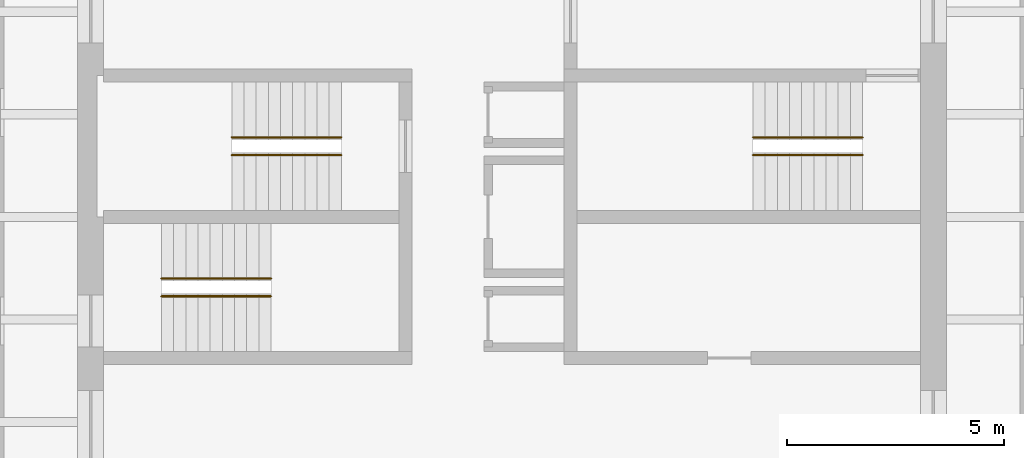
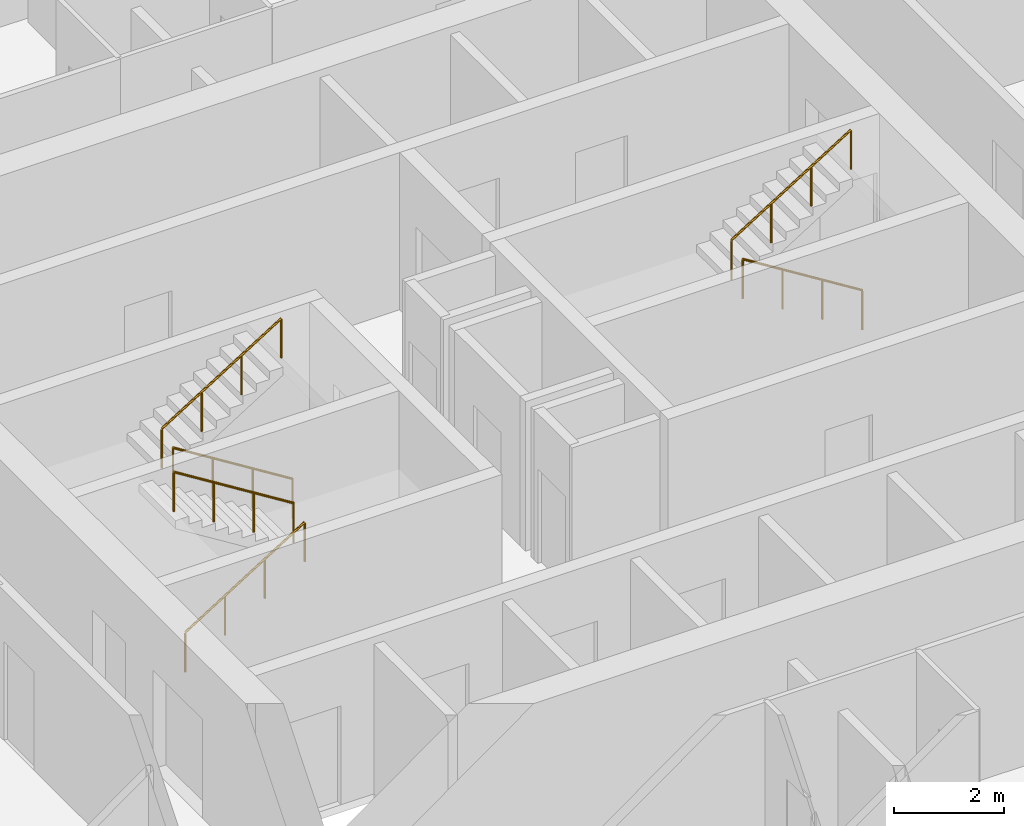
# One storey, part 16 of 16: 6 railings.
"""IFC4 building model written with IfcOpenShell, lengths in metres."""

from ifc_helpers import new_model, si_unit, direction, frame, origin, origin_2d, place, context, subcontext, project, spatial, circle, extrude, material, type_object, element, save


model = new_model("IFC4")

# Units and contexts
model_context = context("Model", 3, precision=1e-05, world=origin(), true_north=direction((0.0, 1.0)))
body_context = subcontext(model_context, "Body", "Model", "MODEL_VIEW")
ifc_project = project(units=[si_unit("LENGTHUNIT", "METRE"), si_unit("AREAUNIT", "SQUARE_METRE"), si_unit("VOLUMEUNIT", "CUBIC_METRE"), si_unit("PLANEANGLEUNIT", "RADIAN"), si_unit("MASSUNIT", "GRAM", prefix="KILO")], contexts=[model_context])

# Site, building, storey
site_placement = place(None, origin())
site = spatial("IfcSite", under=ifc_project, at=site_placement, CompositionType="ELEMENT")
building_placement = place(site_placement, origin())
building = spatial("IfcBuilding", under=site, at=building_placement, Name="Turquesa Mirador Hotel Tower", CompositionType="ELEMENT")
storey_placement = place(building_placement, frame((0.0, 0.0, 230.199951171875)))
storey = spatial("IfcBuildingStorey", under=building, at=storey_placement, Name="L62", CompositionType="ELEMENT", Elevation=230.199951171875)

# Railings
ifc_material = material(Name="Painted steel handrail", Category="steel")
railing_type = type_object("IfcRailingType", Name="HANDRAIL 900 STEEL", PredefinedType="HANDRAIL", material=ifc_material)
railing_1_placement = place(storey_placement, frame((51.070068359375, 46.419921875, 0.175048828125)))
element("IfcRailing", 1, at=railing_1_placement, inside=storey, type_object=railing_type, Name="Handrail ST1", PredefinedType="HANDRAIL", context=body_context, shape_type="SweptSolid", body=[
    extrude(circle(Radius=0.02392578125, at=origin_2d()), frame((0.0, 0.0, 0.8759765625), z_axis=(-0.848007534815, 0.0, 0.529984170421), x_axis=(0.0, -1.0, 0.0)), (0.0, 0.0, 1.0), 2.9716796875),
    extrude(circle(Radius=0.02099609375, at=origin_2d()), origin(), (0.0, 0.0, 1.0), 0.851806640625),
    extrude(circle(Radius=0.02099609375, at=origin_2d()), frame((-0.840087890625, 0.0, 0.52490234375)), (0.0, 0.0, 1.0), 0.851806640625),
    extrude(circle(Radius=0.02099609375, at=origin_2d()), frame((-1.679931640625, 0.0, 1.050048828125)), (0.0, 0.0, 1.0), 0.851806640625),
    extrude(circle(Radius=0.02099609375, at=origin_2d()), frame((-2.52001953125, 0.0, 1.574951171875)), (0.0, 0.0, 1.0), 0.851806640625),
])
for number, where, name in (
    (2, (48.550048828125, 46.830078125, 1.925048828125), "Handrail ST1"),
    (3, (46.929931640625, 43.169921875, 0.175048828125), "Handrail ST2"),
):
    element("IfcRailing", number, at=place(storey_placement, frame(where)), inside=storey, type_object=railing_type, Name=name, PredefinedType="HANDRAIL", context=body_context, shape_type="SweptSolid", body=[
        extrude(circle(Radius=0.02392578125, at=origin_2d()), frame((0.0, 0.0, 0.8759765625), z_axis=(0.848007534815, 0.0, 0.529984170421), x_axis=(0.0, 1.0, 0.0)), (0.0, 0.0, 1.0), 2.9716796875),
        extrude(circle(Radius=0.02099609375, at=origin_2d()), origin(), (0.0, 0.0, 1.0), 0.851806640625),
        extrude(circle(Radius=0.02099609375, at=origin_2d()), frame((0.840087890625, 0.0, 0.52490234375)), (0.0, 0.0, 1.0), 0.851806640625),
        extrude(circle(Radius=0.02099609375, at=origin_2d()), frame((1.679931640625, 0.0, 1.050048828125)), (0.0, 0.0, 1.0), 0.851806640625),
        extrude(circle(Radius=0.02099609375, at=origin_2d()), frame((2.52001953125, 0.0, 1.574951171875)), (0.0, 0.0, 1.0), 0.851806640625),
    ])
for number, where, name in (
    (4, (49.449951171875, 43.580078125, 1.925048828125), "Handrail ST2"),
    (5, (63.070068359375, 46.419921875, 0.175048828125), "Handrail ST3"),
):
    element("IfcRailing", number, at=place(storey_placement, frame(where)), inside=storey, type_object=railing_type, Name=name, PredefinedType="HANDRAIL", context=body_context, shape_type="SweptSolid", body=[
        extrude(circle(Radius=0.02392578125, at=origin_2d()), frame((0.0, 0.0, 0.8759765625), z_axis=(-0.848007534815, 0.0, 0.529984170421), x_axis=(0.0, -1.0, 0.0)), (0.0, 0.0, 1.0), 2.9716796875),
        extrude(circle(Radius=0.02099609375, at=origin_2d()), origin(), (0.0, 0.0, 1.0), 0.851806640625),
        extrude(circle(Radius=0.02099609375, at=origin_2d()), frame((-0.840087890625, 0.0, 0.52490234375)), (0.0, 0.0, 1.0), 0.851806640625),
        extrude(circle(Radius=0.02099609375, at=origin_2d()), frame((-1.679931640625, 0.0, 1.050048828125)), (0.0, 0.0, 1.0), 0.851806640625),
        extrude(circle(Radius=0.02099609375, at=origin_2d()), frame((-2.52001953125, 0.0, 1.574951171875)), (0.0, 0.0, 1.0), 0.851806640625),
    ])
railing_2_placement = place(storey_placement, frame((60.550048828125, 46.830078125, 1.925048828125)))
element("IfcRailing", 6, at=railing_2_placement, inside=storey, type_object=railing_type, Name="Handrail ST3", PredefinedType="HANDRAIL", context=body_context, shape_type="SweptSolid", body=[
    extrude(circle(Radius=0.02392578125, at=origin_2d()), frame((0.0, 0.0, 0.8759765625), z_axis=(0.848007534815, 0.0, 0.529984170421), x_axis=(0.0, 1.0, 0.0)), (0.0, 0.0, 1.0), 2.9716796875),
    extrude(circle(Radius=0.02099609375, at=origin_2d()), origin(), (0.0, 0.0, 1.0), 0.851806640625),
    extrude(circle(Radius=0.02099609375, at=origin_2d()), frame((0.840087890625, 0.0, 0.52490234375)), (0.0, 0.0, 1.0), 0.851806640625),
    extrude(circle(Radius=0.02099609375, at=origin_2d()), frame((1.679931640625, 0.0, 1.050048828125)), (0.0, 0.0, 1.0), 0.851806640625),
    extrude(circle(Radius=0.02099609375, at=origin_2d()), frame((2.52001953125, 0.0, 1.574951171875)), (0.0, 0.0, 1.0), 0.851806640625),
])

save(model, "model.ifc")
